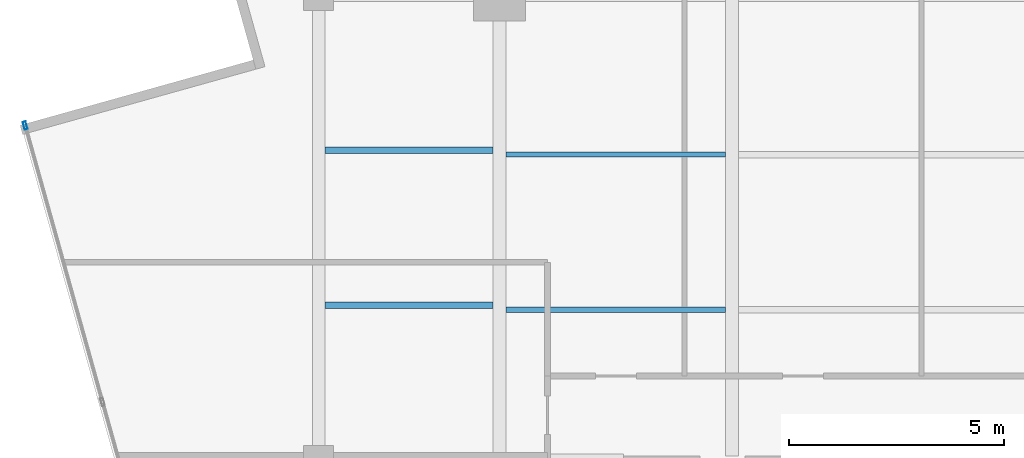
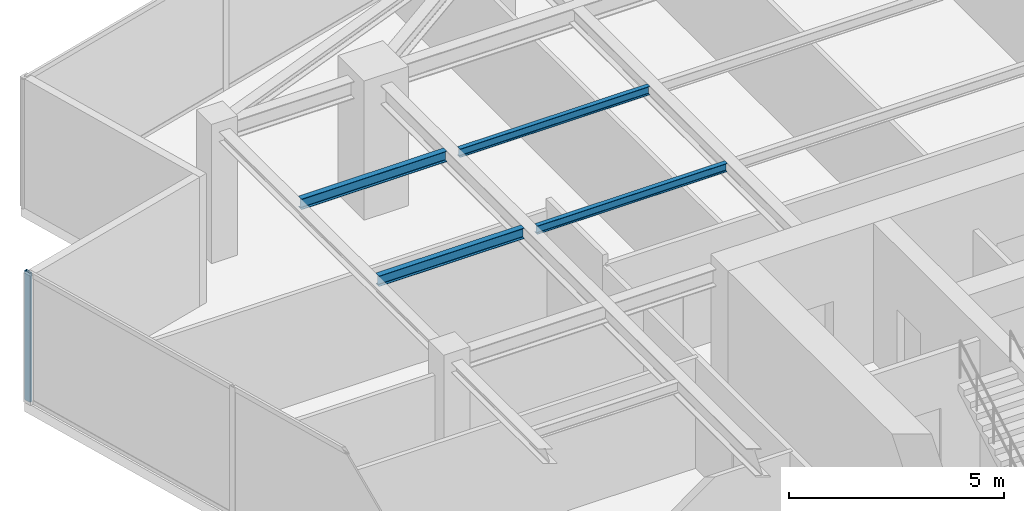
# One storey, part 7 of 20: 4 beams, 1 member, 1 element without a shape of its own.
"""IFC4 building model written with IfcOpenShell, lengths in metres."""

from ifc_helpers import new_model, si_unit, direction, frame, origin, origin_2d, place, context, subcontext, project, spatial, hollow_rectangle, i_section, extrude, source, transform, mapped, material, material_profile, profile_set, type_object, type_shapes, element, aggregate, save


model = new_model("IFC4")

# Units and contexts
model_context = context("Model", 3, precision=1e-05, world=origin(), true_north=direction((0.0, 1.0)))
body_context = subcontext(model_context, "Body", "Model", "MODEL_VIEW")
ifc_project = project(units=[si_unit("LENGTHUNIT", "METRE"), si_unit("AREAUNIT", "SQUARE_METRE"), si_unit("VOLUMEUNIT", "CUBIC_METRE"), si_unit("PLANEANGLEUNIT", "RADIAN"), si_unit("MASSUNIT", "GRAM", prefix="KILO")], contexts=[model_context])

# Site, building, storey
site_placement = place(None, origin())
site = spatial("IfcSite", under=ifc_project, at=site_placement, CompositionType="ELEMENT")
building_placement = place(site_placement, origin())
building = spatial("IfcBuilding", under=site, at=building_placement, Name="Krantzveldt Concourse Tower", CompositionType="ELEMENT")
storey_placement = place(building_placement, frame((0.0, 0.0, 351.39990234375)))
storey = spatial("IfcBuildingStorey", under=building, at=storey_placement, Name="L86", CompositionType="ELEMENT", Elevation=351.39990234375)

# Beams
ifc_material_1 = material(Name="Steel S355JR", Category="steel")
ifc_material_profile_1 = material_profile(ifc_material_1, i_section(OverallWidth=0.1201171875, OverallDepth=0.239990234375, WebThickness=0.006103515625, FlangeThickness=0.009765625, FilletRadius=0.014892578125, at=origin_2d()), Name="Steel S355JR", Category="steel")
ifc_profile_set_1 = profile_set([ifc_material_profile_1], Name="Steel S355JR - IPE 240")
beam_type_1 = type_object("IfcBeamType", Name="BM-LN-IPE240", PredefinedType="LINTEL", material=ifc_profile_set_1)
shared_shape_1 = source(origin(), body_context, "Body", "SweptSolid", [
    extrude(i_section(OverallWidth=0.1201171875, OverallDepth=0.239990234375, WebThickness=0.006103515625, FlangeThickness=0.009765625, FilletRadius=0.014892578125, at=origin_2d()), origin(), (0.0, 0.0, 1.0), 5.099853515625),
])
type_shapes(beam_type_1, [shared_shape_1])
for number, where, z_axis, x_axis, name in (
    (1, (25.35009765625, 30.199951171875, 3.550048828125), (1.0, 0.0, 0.0), (0.0, 1.0, 0.0), "L86 Secondary Floor Joist JN-W1"),
    (2, (25.35009765625, 33.800048828125, 3.550048828125), (1.0, 0.0, 0.0), (0.0, 1.0, 0.0), "L86 Secondary Floor Joist JN-W2"),
):
    element("IfcBeam", number, at=place(storey_placement, frame(where, z_axis=z_axis, x_axis=x_axis)), inside=storey, type_object=beam_type_1, Name=name, PredefinedType="LINTEL", context=body_context, shape_type="MappedRepresentation", body=[
        mapped(shared_shape_1, transform((0.0, 0.0, 0.0), x_axis=(1.0, 0.0, 0.0), y_axis=(0.0, 1.0, 0.0), z_axis=(0.0, 0.0, 1.0), scale=1.0)),
    ])
ifc_material_profile_2 = material_profile(ifc_material_1, i_section(OverallWidth=0.14990234375, OverallDepth=0.300048828125, WebThickness=0.007080078125, FlangeThickness=0.0107421875, FilletRadius=0.014892578125, at=origin_2d()), Name="Steel S355JR", Category="steel")
ifc_profile_set_2 = profile_set([ifc_material_profile_2], Name="Steel S355JR - IPE 300")
beam_type_2 = type_object("IfcBeamType", Name="BM-J-IPE300", PredefinedType="JOIST", material=ifc_profile_set_2)
shared_shape_2 = source(origin(), body_context, "Body", "SweptSolid", [
    extrude(i_section(OverallWidth=0.14990234375, OverallDepth=0.300048828125, WebThickness=0.007080078125, FlangeThickness=0.0107421875, FilletRadius=0.014892578125, at=origin_2d()), origin(), (0.0, 0.0, 1.0), 3.900146484375),
])
type_shapes(beam_type_2, [shared_shape_2])
for number, where, z_axis, x_axis, name in (
    (3, (21.14990234375, 30.300048828125, 3.52001953125), (1.0, 0.0, 0.0), (0.0, 1.0, 0.0), "L86 Secondary Floor Joist JW-3"),
    (4, (21.14990234375, 33.89990234375, 3.52001953125), (1.0, 0.0, 0.0), (0.0, 1.0, 0.0), "L86 Secondary Floor Joist JW-4"),
):
    element("IfcBeam", number, at=place(storey_placement, frame(where, z_axis=z_axis, x_axis=x_axis)), inside=storey, type_object=beam_type_2, Name=name, PredefinedType="JOIST", context=body_context, shape_type="MappedRepresentation", body=[
        mapped(shared_shape_2, transform((0.0, 0.0, 0.0), x_axis=(1.0, 0.0, 0.0), y_axis=(0.0, 1.0, 0.0), z_axis=(0.0, 0.0, 1.0), scale=1.0)),
    ])

# Curtain wall, member
ifc_material_2 = material(Name="Anodised aluminium 6063-T6", Category="aluminium")
curtain_wall_type = type_object("IfcCurtainWallType", Name="CW4", PredefinedType="USERDEFINED", material=ifc_material_2)
curtain_wall_placement = place(storey_placement, origin())
curtain_wall = element("IfcCurtainWall", 5, at=curtain_wall_placement, inside=storey, type_object=curtain_wall_type, Name="CW-L86-F04", ObjectType="UNITISED CURTAIN WALL", PredefinedType="USERDEFINED")
ifc_material_profile_3 = material_profile(ifc_material_2, hollow_rectangle(XDim=0.070068359375, YDim=0.179931640625, WallThickness=0.0048828125, at=origin_2d()), Name="Anodised aluminium 6063-T6", Category="aluminium")
ifc_profile_set_3 = profile_set([ifc_material_profile_3], Name="Anodised aluminium 6063-T6 - ALU-MULL 180x70x5")
member_type = type_object("IfcMemberType", Name="CW-MUL-180", PredefinedType="MULLION", material=ifc_profile_set_3)
shared_shape_3 = source(origin(), body_context, "Body", "SweptSolid", [
    extrude(hollow_rectangle(XDim=0.070068359375, YDim=0.179931640625, WallThickness=0.0048828125, at=origin_2d()), origin(), (0.0, 0.0, 1.0), 3.670166015625),
])
type_shapes(member_type, [shared_shape_3])
member_placement = place(storey_placement, frame((14.18896484375, 34.477783203125, 0.0), z_axis=(0.0, 0.0, 1.0), x_axis=(0.963045170968, 0.269339931454, 0.0)))
member = element("IfcMember", 6, at=member_placement, type_object=member_type, Name="CW-Z56 mullion 1", PredefinedType="MULLION", context=body_context, shape_type="MappedRepresentation", body=[
    mapped(shared_shape_3, transform((0.0, 0.0, 0.0), x_axis=(1.0, 0.0, 0.0), y_axis=(0.0, 1.0, 0.0), z_axis=(0.0, 0.0, 1.0), scale=1.0)),
])
aggregate(curtain_wall, [member])

save(model, "model.ifc")
